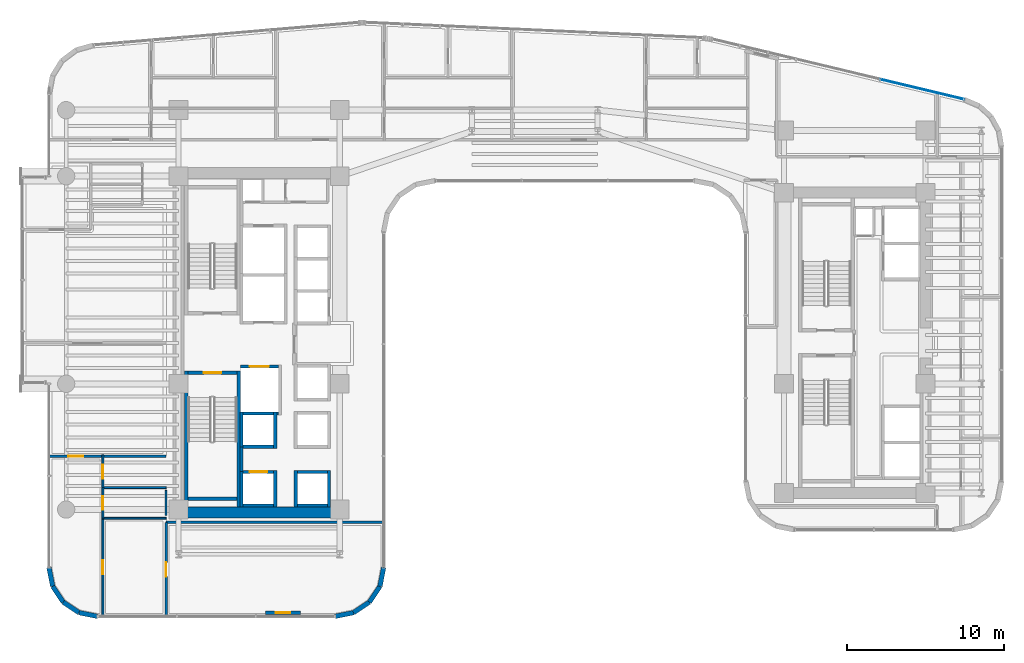
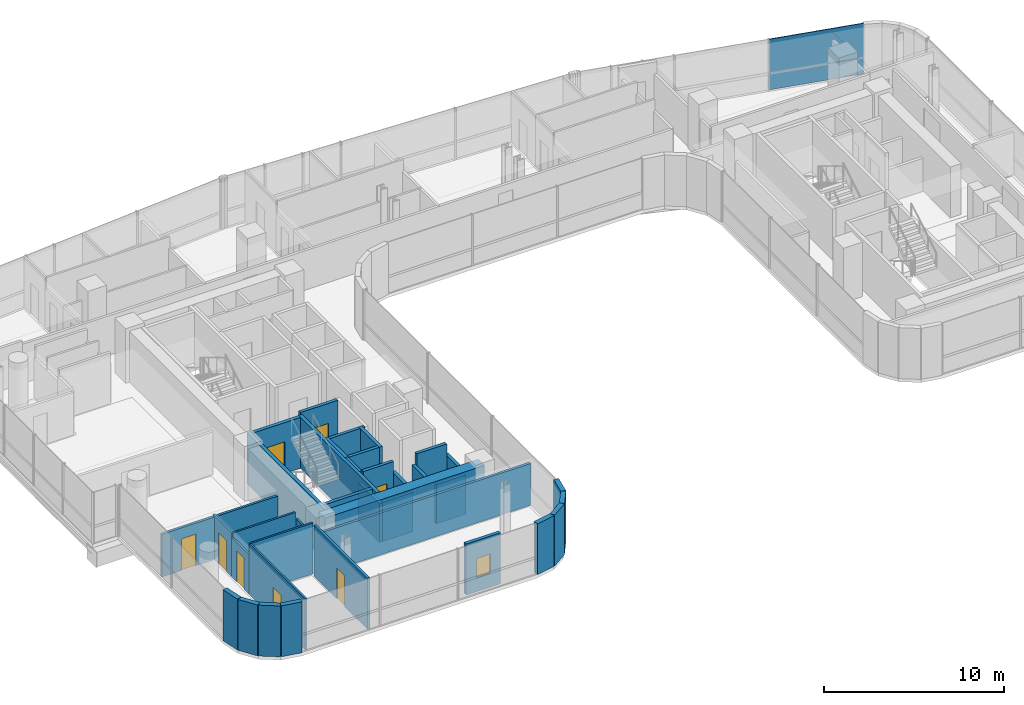
# One storey, part 26 of 35: 37 walls, 8 doors, 2 plates, 1 window, 9 openings, 1 element without a shape of its own.
"""IFC4 building model written with IfcOpenShell, lengths in metres."""

from ifc_helpers import new_model, si_unit, direction, frame, frame_2d, origin, origin_2d, place, context, subcontext, project, spatial, rectangle, extrude, source, transform, mapped, material, layer, layer_set, type_object, element, fill, aggregate, save


model = new_model("IFC4")

# Units and contexts
model_context = context("Model", 3, precision=1e-05, world=origin(), true_north=direction((0.0, 1.0)))
body_context = subcontext(model_context, "Body", "Model", "MODEL_VIEW")
ifc_project = project(units=[si_unit("LENGTHUNIT", "METRE"), si_unit("AREAUNIT", "SQUARE_METRE"), si_unit("VOLUMEUNIT", "CUBIC_METRE"), si_unit("PLANEANGLEUNIT", "RADIAN"), si_unit("MASSUNIT", "GRAM", prefix="KILO")], contexts=[model_context])

# Site, building, storey
site_placement = place(None, origin())
site = spatial("IfcSite", under=ifc_project, at=site_placement, CompositionType="ELEMENT")
building_placement = place(site_placement, origin())
building = spatial("IfcBuilding", under=site, at=building_placement, Name="Valdorenza Pilgrim Sanctuary Tower", CompositionType="ELEMENT")
storey_placement = place(building_placement, frame((0.0, 0.0, 105.699951171875)))
storey = spatial("IfcBuildingStorey", under=building, at=storey_placement, Name="L26", CompositionType="ELEMENT", Elevation=105.699951171875)

# Curtain wall, plates
ifc_material_1 = material(Name="Curtain-wall IGU glazing", Category="glass")
curtain_wall_type = type_object("IfcCurtainWallType", Name="CW-SYS-03", PredefinedType="NOTDEFINED", material=ifc_material_1)
curtain_wall_placement = place(storey_placement, origin())
curtain_wall = element("IfcCurtainWall", 1, at=curtain_wall_placement, inside=storey, type_object=curtain_wall_type, Name="L26 Curtain Wall CW-L26-1-16", PredefinedType="NOTDEFINED")
ifc_material_2 = material(Name="Honed travertine limestone", Category="masonry")
ifc_layer_1 = layer(ifc_material_2, 0.050048828125, Name="Honed travertine limestone")
ifc_layer_set_1 = layer_set([ifc_layer_1], Name="Honed travertine limestone")
plate_type_1 = type_object("IfcPlateType", Name="CW-SPN-TRV", PredefinedType="USERDEFINED", material=ifc_layer_set_1)
shared_shape_1 = source(origin(), body_context, "Body", "SweptSolid", [
    extrude(rectangle(XDim=5.477294921875, YDim=0.06005859375, at=origin_2d()), origin(), (0.0, 0.0, 1.0), 1.10009765625),
])
plate_1_placement = place(storey_placement, frame((24.63720703125, 16.122802734375, 0.010009765625), z_axis=(0.0, 0.0, 1.0), x_axis=(0.972528596343, -0.232783438617, 0.0)))
plate_1 = element("IfcPlate", 2, at=plate_1_placement, type_object=plate_type_1, Name="CW-L26-1-16 Travertine Spandrel 3", ObjectType="SPANDREL", PredefinedType="USERDEFINED", context=body_context, shape_type="MappedRepresentation", body=[
    mapped(shared_shape_1, transform((0.0, 0.0, 0.0), x_axis=(1.0, 0.0, 0.0), y_axis=(0.0, 1.0, 0.0), z_axis=(0.0, 0.0, 1.0), scale=1.0)),
])
ifc_material_3 = material(Name="Ceramic-fritted low-E IGU glazing", Category="glass")
ifc_layer_2 = layer(ifc_material_3, 0.035888671875, Name="Ceramic-fritted low-E IGU glazing")
ifc_layer_set_2 = layer_set([ifc_layer_2], Name="Ceramic-fritted low-E IGU glazing")
plate_type_2 = type_object("IfcPlateType", Name="CW-GLZ-IGU", PredefinedType="USERDEFINED", material=ifc_layer_set_2)
shared_shape_2 = source(origin(), body_context, "Body", "SweptSolid", [
    extrude(rectangle(XDim=5.477294921875, YDim=0.050048828125, at=origin_2d()), origin(), (0.0, 0.0, 1.0), 2.320068359375),
])
plate_2_placement = place(storey_placement, frame((24.63720703125, 16.122802734375, 1.1298828125), z_axis=(0.0, 0.0, 1.0), x_axis=(0.972528596343, -0.232783438617, 0.0)))
plate_2 = element("IfcPlate", 3, at=plate_2_placement, type_object=plate_type_2, Name="CW-L26-1-16 Facade Panel 3", ObjectType="GLAZING", PredefinedType="USERDEFINED", context=body_context, shape_type="MappedRepresentation", body=[
    mapped(shared_shape_2, transform((0.0, 0.0, 0.0), x_axis=(1.0, 0.0, 0.0), y_axis=(0.0, 1.0, 0.0), z_axis=(0.0, 0.0, 1.0), scale=1.0)),
])
aggregate(curtain_wall, [plate_1, plate_2])

# Walls
ifc_material_4 = material(Name="Acoustic twin-stud gypsum partition", Category="gypsum")
ifc_layer_3 = layer(ifc_material_4, 0.159912109375, Name="Acoustic twin-stud gypsum partition")
ifc_layer_set_3 = layer_set([ifc_layer_3], Name="Acoustic twin-stud gypsum partition")
wall_type_1 = type_object("IfcWallType", Name="WAL-COR-160", PredefinedType="PARTITIONING", material=ifc_layer_set_3)
wall_1_placement = place(storey_placement, frame((-18.64990234375, -8.179931640625, 0.0), z_axis=(0.0, 0.0, 1.0), x_axis=(0.0, 1.0, 0.0)))
element("IfcWall", 4, at=wall_1_placement, inside=storey, type_object=wall_type_1, Name="L26 Core A South Lift Hall West Wall", PredefinedType="PARTITIONING", context=body_context, shape_type="SweptSolid", body=[
    extrude(rectangle(XDim=1.559814453125, YDim=0.159912109375, at=frame_2d((0.77978515625, 0.0))), origin(), (0.0, 0.0, 1.0), 3.4599609375),
])
wall_2_placement = place(storey_placement, frame((-23.449951171875, -11.419921875, 0.0), z_axis=(0.0, 0.0, 1.0), x_axis=(1.0, 0.0, 0.0)))
element("IfcWall", 5, at=wall_2_placement, inside=storey, type_object=wall_type_1, Name="L26 South-East Pocket North Wall", PredefinedType="PARTITIONING", context=body_context, shape_type="SweptSolid", body=[
    extrude(rectangle(XDim=13.83984375, YDim=0.159912109375, at=frame_2d((6.919921875, 0.0))), origin(), (0.0, 0.0, 1.0), 2.833984375),
])

# Wall, opening, door
wall_3_placement = place(storey_placement, frame((-23.449951171875, -17.389892578125, 0.0), z_axis=(0.0, 0.0, 1.0), x_axis=(0.0, 1.0, 0.0)))
wall_3 = element("IfcWall", 6, at=wall_3_placement, inside=storey, type_object=wall_type_1, Name="L26 South-East Pocket West Wall", PredefinedType="PARTITIONING", context=body_context, shape_type="SweptSolid", body=[
    extrude(rectangle(XDim=5.969970703125, YDim=0.159912109375, at=frame_2d((2.98486328125, 0.0))), origin(), (0.0, 0.0, 1.0), 3.4599609375),
])
opening_1_placement = place(wall_3_placement, frame((2.534912109375, 0.0, 0.0)))
opening_1 = element("IfcOpeningElement", 7, at=opening_1_placement, cuts=wall_3, Name="Opening DR-RM1", PredefinedType="OPENING", context=body_context, shape_type="SweptSolid", body=[
    extrude(rectangle(XDim=0.89990234375, YDim=2.10009765625, at=frame_2d((0.449951171875, 1.050048828125))), frame((0.0, 0.0947265625, 0.0), z_axis=(0.0, -1.0, 0.0), x_axis=(1.0, 0.0, 0.0)), (0.0, 0.0, 1.0), 0.189697265625),
])
ifc_material_5 = material(Name="Solid-core European oak timber", Category="wood")
door_type_1 = type_object("IfcDoorType", Name="DR-ROOM-900", OperationType="NOTDEFINED", PredefinedType="DOOR", material=ifc_material_5)
door_1_placement = place(opening_1_placement, origin())
door_1 = element("IfcDoor", 8, at=door_1_placement, inside=storey, type_object=door_type_1, Name="L26 Sacred Archive Reading Library L26-S Door", OperationType="SINGLE_SWING_RIGHT", OverallHeight=2.10009765625, OverallWidth=0.89990234375, PredefinedType="DOOR", context=body_context, shape_type="SweptSolid", body=[
    extrude(rectangle(XDim=0.89990234375, YDim=2.10009765625, at=frame_2d((0.449951171875, 1.050048828125))), frame((0.0, 0.02490234375, 0.0), z_axis=(0.0, -1.0, 0.0), x_axis=(1.0, 0.0, 0.0)), (0.0, 0.0, 1.0), 0.050048828125),
])
fill(opening_1, door_1)

wall_4_placement = place(storey_placement, frame((-30.889892578125, -7.199951171875, 0.0), z_axis=(0.0, 0.0, 1.0), x_axis=(1.0, 0.0, 0.0)))
wall_4 = element("IfcWall", 9, at=wall_4_placement, inside=storey, type_object=wall_type_1, Name="L26 Cloister South Room Wall", PredefinedType="PARTITIONING", context=body_context, shape_type="SweptSolid", body=[
    extrude(rectangle(XDim=7.43994140625, YDim=0.159912109375, at=frame_2d((3.719970703125, 0.0))), origin(), (0.0, 0.0, 1.0), 2.89599609375),
])
opening_2_placement = place(wall_4_placement, frame((1.236083984375, 0.0, 0.0)))
opening_2 = element("IfcOpeningElement", 10, at=opening_2_placement, cuts=wall_4, Name="Opening DR-UN1", PredefinedType="OPENING", context=body_context, shape_type="SweptSolid", body=[
    extrude(rectangle(XDim=0.949951171875, YDim=2.14990234375, at=frame_2d((0.47509765625, 1.074951171875))), frame((0.0, 0.0947265625, 0.0), z_axis=(0.0, -1.0, 0.0), x_axis=(1.0, 0.0, 0.0)), (0.0, 0.0, 1.0), 0.189697265625),
])
door_type_2 = type_object("IfcDoorType", Name="DR-UNIT-950", OperationType="NOTDEFINED", PredefinedType="DOOR", material=ifc_material_5)
door_2_placement = place(opening_2_placement, origin())
door_2 = element("IfcDoor", 11, at=door_2_placement, inside=storey, type_object=door_type_2, Name="L26 Sanctuary Apartment L26-CS1 Entrance Door", OperationType="SINGLE_SWING_RIGHT", OverallHeight=2.14990234375, OverallWidth=0.949951171875, PredefinedType="DOOR", context=body_context, shape_type="SweptSolid", body=[
    extrude(rectangle(XDim=0.949951171875, YDim=2.14990234375, at=frame_2d((0.47509765625, 1.074951171875))), frame((0.0, 0.02490234375, 0.0), z_axis=(0.0, -1.0, 0.0), x_axis=(1.0, 0.0, 0.0)), (0.0, 0.0, 1.0), 0.050048828125),
])
fill(opening_2, door_2)

# Walls
ifc_material_6 = material(Name="Concrete C60/75", Category="concrete")
ifc_layer_4 = layer(ifc_material_6, 0.699951171875, Name="Concrete C60/75")
ifc_layer_set_4 = layer_set([ifc_layer_4], Name="Concrete C60/75")
wall_type_2 = type_object("IfcWallType", Name="WAL-COR-700", PredefinedType="SHEAR", material=ifc_layer_set_4)
wall_5_placement = place(storey_placement, frame((-22.64990234375, -10.800048828125, 0.0), z_axis=(0.0, 0.0, 1.0), x_axis=(1.0, 0.0, 0.0)))
element("IfcWall", 12, at=wall_5_placement, inside=storey, type_object=wall_type_2, Name="L26 Split Core A Shear Wall S", PredefinedType="SHEAR", context=body_context, shape_type="SweptSolid", body=[
    extrude(rectangle(XDim=10.25, YDim=0.699951171875, at=frame_2d((5.125, 0.0))), origin(), (0.0, 0.0, 1.0), 3.4599609375),
])
ifc_layer_5 = layer(ifc_material_2, 0.300048828125, Name="Honed travertine limestone")
ifc_layer_set_5 = layer_set([ifc_layer_5], Name="Honed travertine limestone")
wall_type_3 = type_object("IfcWallType", Name="WAL-EXT-300", PredefinedType="SOLIDWALL", material=ifc_layer_set_5)
wall_6_placement = place(storey_placement, frame((-9.610107421875, -14.289306640625, 0.0), z_axis=(0.0, 0.0, 1.0), x_axis=(-0.194996050505, -0.980804027463, 0.0)))
element("IfcWall", 13, at=wall_6_placement, inside=storey, type_object=wall_type_3, Name="L26 Rounded Wind-Corner Stone Pier 42", PredefinedType="SOLIDWALL", context=body_context, shape_type="SweptSolid", body=[
    extrude(rectangle(XDim=1.2158203125, YDim=0.300048828125, at=frame_2d((0.60791015625, 0.0))), origin(), (0.0, 0.0, 1.0), 3.4599609375),
])
for number, where, z_axis, x_axis, name in (
    (14, (-9.84716796875, -15.481689453125, 0.0), (0.0, 0.0, 1.0), (-0.555635100982, -0.831426265255, 0.0), "L26 Rounded Wind-Corner Stone Pier 43"),
    (15, (-10.5166015625, -16.4833984375, 0.0), (0.0, 0.0, 1.0), (-0.831426265255, -0.555635100982, 0.0), "L26 Rounded Wind-Corner Stone Pier 44"),
):
    element("IfcWall", number, at=place(storey_placement, frame(where, z_axis=z_axis, x_axis=x_axis)), inside=storey, type_object=wall_type_3, Name=name, PredefinedType="SOLIDWALL", context=body_context, shape_type="SweptSolid", body=[
        extrude(rectangle(XDim=1.204833984375, YDim=0.300048828125, at=frame_2d((0.6025390625, 0.0))), origin(), (0.0, 0.0, 1.0), 3.4599609375),
    ])
wall_7_placement = place(storey_placement, frame((-11.518310546875, -17.15283203125, 0.0), z_axis=(0.0, 0.0, 1.0), x_axis=(-0.980804027463, -0.194996050505, 0.0)))
element("IfcWall", 16, at=wall_7_placement, inside=storey, type_object=wall_type_3, Name="L26 Rounded Wind-Corner Stone Pier 45", PredefinedType="SOLIDWALL", context=body_context, shape_type="SweptSolid", body=[
    extrude(rectangle(XDim=1.2158203125, YDim=0.300048828125, at=frame_2d((0.60791015625, 0.0))), origin(), (0.0, 0.0, 1.0), 3.4599609375),
])

# Wall, opening, window
wall_8_placement = place(storey_placement, frame((-14.910888671875, -17.14990234375, 0.0), z_axis=(0.0, 0.0, 1.0), x_axis=(-1.0, 0.0, 0.0)))
wall_8 = element("IfcWall", 17, at=wall_8_placement, inside=storey, type_object=wall_type_3, Name="L26 Operable Ventilation Sash Jamb Pier", PredefinedType="SOLIDWALL", context=body_context, shape_type="SweptSolid", body=[
    extrude(rectangle(XDim=2.199951171875, YDim=0.219970703125, at=frame_2d((1.10009765625, 0.0))), origin(), (0.0, 0.0, 1.0), 3.4599609375),
])
opening_3_placement = place(wall_8_placement, frame((0.64990234375, 0.0, 0.949951171875)))
opening_3 = element("IfcOpeningElement", 18, at=opening_3_placement, cuts=wall_8, Name="Opening WN-OP1", PredefinedType="OPENING", context=body_context, shape_type="SweptSolid", body=[
    extrude(rectangle(XDim=0.89990234375, YDim=1.300048828125, at=frame_2d((0.449951171875, 0.64990234375))), frame((0.0, 0.125, 0.0), z_axis=(0.0, -1.0, 0.0), x_axis=(1.0, 0.0, 0.0)), (0.0, 0.0, 1.0), 0.249755859375),
])
window_type = type_object("IfcWindowType", Name="WIN-OPN-900", PartitioningType="SINGLE_PANEL", PredefinedType="WINDOW", material=ifc_material_3)
window_placement = place(opening_3_placement, origin())
window = element("IfcWindow", 19, at=window_placement, inside=storey, type_object=window_type, Name="L26 Parallel-Pop-Out Operable Facade Panel", OverallHeight=1.300048828125, OverallWidth=0.89990234375, PartitioningType="SINGLE_PANEL", PredefinedType="WINDOW", context=body_context, shape_type="SweptSolid", body=[
    extrude(rectangle(XDim=0.89990234375, YDim=1.300048828125, at=frame_2d((0.449951171875, 0.64990234375))), frame((0.0, 0.030029296875, 0.0), z_axis=(0.0, -1.0, 0.0), x_axis=(1.0, 0.0, 0.0)), (0.0, 0.0, 1.0), 0.06005859375),
])
fill(opening_3, window)

# Walls
wall_9_placement = place(storey_placement, frame((-27.789306640625, -17.389892578125, 0.0), z_axis=(0.0, 0.0, 1.0), x_axis=(-0.980804027463, 0.194996050505, 0.0)))
element("IfcWall", 20, at=wall_9_placement, inside=storey, type_object=wall_type_3, Name="L26 Rounded Wind-Corner Stone Pier 47", PredefinedType="SOLIDWALL", context=body_context, shape_type="SweptSolid", body=[
    extrude(rectangle(XDim=1.2158203125, YDim=0.300048828125, at=frame_2d((0.60791015625, 0.0))), origin(), (0.0, 0.0, 1.0), 3.4599609375),
])
for number, where, z_axis, x_axis, name in (
    (21, (-28.981689453125, -17.15283203125, 0.0), (0.0, 0.0, 1.0), (-0.831426265255, 0.555635100982, 0.0), "L26 Rounded Wind-Corner Stone Pier 48"),
    (22, (-29.9833984375, -16.4833984375, 0.0), (0.0, 0.0, 1.0), (-0.555635100982, 0.831426265255, 0.0), "L26 Rounded Wind-Corner Stone Pier 49"),
):
    element("IfcWall", number, at=place(storey_placement, frame(where, z_axis=z_axis, x_axis=x_axis)), inside=storey, type_object=wall_type_3, Name=name, PredefinedType="SOLIDWALL", context=body_context, shape_type="SweptSolid", body=[
        extrude(rectangle(XDim=1.204833984375, YDim=0.300048828125, at=frame_2d((0.6025390625, 0.0))), origin(), (0.0, 0.0, 1.0), 3.4599609375),
    ])
wall_10_placement = place(storey_placement, frame((-30.65283203125, -15.481689453125, 0.0), z_axis=(0.0, 0.0, 1.0), x_axis=(-0.194996050505, 0.980804027463, 0.0)))
element("IfcWall", 23, at=wall_10_placement, inside=storey, type_object=wall_type_3, Name="L26 Rounded Wind-Corner Stone Pier 50", PredefinedType="SOLIDWALL", context=body_context, shape_type="SweptSolid", body=[
    extrude(rectangle(XDim=1.2158203125, YDim=0.300048828125, at=frame_2d((0.60791015625, 0.0))), origin(), (0.0, 0.0, 1.0), 3.4599609375),
])
ifc_material_7 = material(Name="Moisture-resistant gypsum partition", Category="gypsum")
ifc_layer_6 = layer(ifc_material_7, 0.1201171875, Name="Moisture-resistant gypsum partition")
ifc_layer_set_6 = layer_set([ifc_layer_6], Name="Moisture-resistant gypsum partition")
wall_type_4 = type_object("IfcWallType", Name="WAL-INT-120", PredefinedType="PARTITIONING", material=ifc_layer_set_6)
wall_11_placement = place(storey_placement, frame((-27.467529296875, -9.199951171875, 0.0), z_axis=(0.0, 0.0, 1.0), x_axis=(1.0, 0.0, 0.0)))
element("IfcWall", 24, at=wall_11_placement, inside=storey, type_object=wall_type_4, Name="L26 Sanctuary Apartment L26-CS1 Bath-Kitchen Wall", PredefinedType="PARTITIONING", context=body_context, shape_type="SweptSolid", body=[
    extrude(rectangle(XDim=4.017578125, YDim=0.1201171875, at=frame_2d((2.0087890625, 0.0))), origin(), (0.0, 0.0, 1.0), 2.988037109375),
])
wall_12_placement = place(storey_placement, frame((-27.467529296875, -11.14990234375, 0.0), z_axis=(0.0, 0.0, 1.0), x_axis=(1.0, 0.0, 0.0)))
element("IfcWall", 25, at=wall_12_placement, inside=storey, type_object=wall_type_4, Name="L26 Sanctuary Apartment L26-CS1 Kitchen-Bedroom Wall", PredefinedType="PARTITIONING", context=body_context, shape_type="SweptSolid", body=[
    extrude(rectangle(XDim=4.017578125, YDim=0.1201171875, at=frame_2d((2.0087890625, 0.0))), origin(), (0.0, 0.0, 1.0), 3.4599609375),
])

# Wall, opening, door
wall_13_placement = place(storey_placement, frame((-27.467529296875, -11.14990234375, 0.0), z_axis=(0.0, 0.0, 1.0), x_axis=(0.0, 1.0, 0.0)))
wall_13 = element("IfcWall", 26, at=wall_13_placement, inside=storey, type_object=wall_type_4, Name="L26 Sanctuary Apartment L26-CS1 Bathroom Door Wall", PredefinedType="PARTITIONING", context=body_context, shape_type="SweptSolid", body=[
    extrude(rectangle(XDim=1.949951171875, YDim=0.1201171875, at=frame_2d((0.97509765625, 0.0))), origin(), (0.0, 0.0, 1.0), 2.666015625),
])
opening_4_placement = place(wall_13_placement, frame((0.550048828125, 0.0, 0.0)))
opening_4 = element("IfcOpeningElement", 27, at=opening_4_placement, cuts=wall_13, Name="Opening DR-WC1", PredefinedType="OPENING", context=body_context, shape_type="SweptSolid", body=[
    extrude(rectangle(XDim=0.85009765625, YDim=2.10009765625, at=frame_2d((0.425048828125, 1.050048828125))), frame((0.0, 0.074951171875, 0.0), z_axis=(0.0, -1.0, 0.0), x_axis=(1.0, 0.0, 0.0)), (0.0, 0.0, 1.0), 0.14990234375),
])
ifc_material_8 = material(Name="Moisture-resistant lacquered timber", Category="wood")
door_type_3 = type_object("IfcDoorType", Name="DR-BATH-850", OperationType="NOTDEFINED", PredefinedType="DOOR", material=ifc_material_8)
door_3_placement = place(opening_4_placement, origin())
door_3 = element("IfcDoor", 28, at=door_3_placement, inside=storey, type_object=door_type_3, Name="L26 Sanctuary Apartment L26-CS1 Bathroom Door", OperationType="SINGLE_SWING_LEFT", OverallHeight=2.10009765625, OverallWidth=0.85009765625, PredefinedType="DOOR", context=body_context, shape_type="SweptSolid", body=[
    extrude(rectangle(XDim=0.85009765625, YDim=2.10009765625, at=frame_2d((0.425048828125, 1.050048828125))), frame((0.0, 0.02490234375, 0.0), z_axis=(0.0, -1.0, 0.0), x_axis=(1.0, 0.0, 0.0)), (0.0, 0.0, 1.0), 0.050048828125),
])
fill(opening_4, door_3)

wall_14_placement = place(storey_placement, frame((-27.467529296875, -9.199951171875, 0.0), z_axis=(0.0, 0.0, 1.0), x_axis=(0.0, 1.0, 0.0)))
wall_14 = element("IfcWall", 29, at=wall_14_placement, inside=storey, type_object=wall_type_4, Name="L26 Sanctuary Apartment L26-CS1 Kitchen Door Wall", PredefinedType="PARTITIONING", context=body_context, shape_type="SweptSolid", body=[
    extrude(rectangle(XDim=2.079833984375, YDim=0.1201171875, at=frame_2d((1.0400390625, 0.0))), origin(), (0.0, 0.0, 1.0), 2.988037109375),
])
opening_5_placement = place(wall_14_placement, frame((0.550048828125, 0.0, 0.0)))
opening_5 = element("IfcOpeningElement", 30, at=opening_5_placement, cuts=wall_14, Name="Opening DR-RM1", PredefinedType="OPENING", context=body_context, shape_type="SweptSolid", body=[
    extrude(rectangle(XDim=0.89990234375, YDim=2.10009765625, at=frame_2d((0.449951171875, 1.050048828125))), frame((0.0, 0.074951171875, 0.0), z_axis=(0.0, -1.0, 0.0), x_axis=(1.0, 0.0, 0.0)), (0.0, 0.0, 1.0), 0.14990234375),
])
door_4_placement = place(opening_5_placement, origin())
door_4 = element("IfcDoor", 31, at=door_4_placement, inside=storey, type_object=door_type_1, Name="L26 Sanctuary Apartment L26-CS1 Kitchen Door", OperationType="SINGLE_SWING_RIGHT", OverallHeight=2.10009765625, OverallWidth=0.89990234375, PredefinedType="DOOR", context=body_context, shape_type="SweptSolid", body=[
    extrude(rectangle(XDim=0.89990234375, YDim=2.10009765625, at=frame_2d((0.449951171875, 1.050048828125))), frame((0.0, 0.02490234375, 0.0), z_axis=(0.0, -1.0, 0.0), x_axis=(1.0, 0.0, 0.0)), (0.0, 0.0, 1.0), 0.050048828125),
])
fill(opening_5, door_4)

wall_15_placement = place(storey_placement, frame((-27.467529296875, -17.389892578125, 0.0), z_axis=(0.0, 0.0, 1.0), x_axis=(0.0, 1.0, 0.0)))
wall_15 = element("IfcWall", 32, at=wall_15_placement, inside=storey, type_object=wall_type_4, Name="L26 Sanctuary Apartment L26-CS1 Bedroom Door Wall", PredefinedType="PARTITIONING", context=body_context, shape_type="SweptSolid", body=[
    extrude(rectangle(XDim=6.239990234375, YDim=0.1201171875, at=frame_2d((3.1201171875, 0.0))), origin(), (0.0, 0.0, 1.0), 3.4599609375),
])
opening_6_placement = place(wall_15_placement, frame((2.669921875, 0.0, 0.0)))
opening_6 = element("IfcOpeningElement", 33, at=opening_6_placement, cuts=wall_15, Name="Opening DR-RM1", PredefinedType="OPENING", context=body_context, shape_type="SweptSolid", body=[
    extrude(rectangle(XDim=0.89990234375, YDim=2.10009765625, at=frame_2d((0.449951171875, 1.050048828125))), frame((0.0, 0.074951171875, 0.0), z_axis=(0.0, -1.0, 0.0), x_axis=(1.0, 0.0, 0.0)), (0.0, 0.0, 1.0), 0.14990234375),
])
door_5_placement = place(opening_6_placement, frame((0.89990234375, 0.0, 0.0), z_axis=(0.0, 0.0, 1.0), x_axis=(-1.0, 0.0, 0.0)))
door_5 = element("IfcDoor", 34, at=door_5_placement, inside=storey, type_object=door_type_1, Name="L26 Sanctuary Apartment L26-CS1 Bedroom Door", OperationType="SINGLE_SWING_LEFT", OverallHeight=2.10009765625, OverallWidth=0.89990234375, PredefinedType="DOOR", context=body_context, shape_type="SweptSolid", body=[
    extrude(rectangle(XDim=0.89990234375, YDim=2.10009765625, at=frame_2d((0.449951171875, 1.050048828125))), frame((0.0, 0.02490234375, 0.0), z_axis=(0.0, -1.0, 0.0), x_axis=(1.0, 0.0, 0.0)), (0.0, 0.0, 1.0), 0.050048828125),
])
fill(opening_6, door_5)

# Walls
wall_16_placement = place(storey_placement, frame((-23.449951171875, -10.969970703125, 0.0), z_axis=(0.0, 0.0, 1.0), x_axis=(0.0, 1.0, 0.0)))
element("IfcWall", 35, at=wall_16_placement, inside=storey, type_object=wall_type_4, Name="L26 CL-SF1-BTH Enclosure Wall E", PredefinedType="PARTITIONING", context=body_context, shape_type="SweptSolid", body=[
    extrude(rectangle(XDim=1.590087890625, YDim=0.1201171875, at=frame_2d((0.794921875, 0.0))), origin(), (0.0, 0.0, 1.0), 2.666015625),
])
ifc_material_9 = material(Name="Autoclaved aerated concrete blockwork", Category="masonry")
ifc_layer_7 = layer(ifc_material_9, 0.199951171875, Name="Autoclaved aerated concrete blockwork")
ifc_layer_set_7 = layer_set([ifc_layer_7], Name="Autoclaved aerated concrete blockwork")
wall_type_5 = type_object("IfcWallType", Name="WAL-SHF-200", PredefinedType="MOVABLE", material=ifc_layer_set_7)
wall_17_placement = place(storey_placement, frame((-18.719970703125, -4.5, 0.0), z_axis=(0.0, 0.0, 1.0), x_axis=(1.0, 0.0, 0.0)))
element("IfcWall", 36, at=wall_17_placement, inside=storey, type_object=wall_type_5, Name="L26 Lift FFL-02 Hoistway Wall South", PredefinedType="MOVABLE", context=body_context, shape_type="SweptSolid", body=[
    extrude(rectangle(XDim=2.419921875, YDim=0.199951171875, at=frame_2d((1.2099609375, 0.0))), origin(), (0.0, 0.0, 1.0), 3.4599609375),
])

# Wall, opening, door
wall_18_placement = place(storey_placement, frame((-18.719970703125, -1.5, 0.0), z_axis=(0.0, 0.0, 1.0), x_axis=(1.0, 0.0, 0.0)))
wall_18 = element("IfcWall", 37, at=wall_18_placement, inside=storey, type_object=wall_type_5, Name="L26 Lift FFL-02 Hoistway Wall North", PredefinedType="MOVABLE", context=body_context, shape_type="SweptSolid", body=[
    extrude(rectangle(XDim=2.419921875, YDim=0.199951171875, at=frame_2d((1.2099609375, 0.0))), origin(), (0.0, 0.0, 1.0), 3.4599609375),
])
opening_7_placement = place(wall_18_placement, frame((0.610107421875, 0.0, 0.0)))
opening_7 = element("IfcOpeningElement", 38, at=opening_7_placement, cuts=wall_18, Name="Opening LD-02", PredefinedType="OPENING", context=body_context, shape_type="SweptSolid", body=[
    extrude(rectangle(XDim=1.199951171875, YDim=2.10009765625, at=frame_2d((0.60009765625, 1.050048828125))), frame((0.0, 0.11474609375, 0.0), z_axis=(0.0, -1.0, 0.0), x_axis=(1.0, 0.0, 0.0)), (0.0, 0.0, 1.0), 0.229736328125),
])
ifc_material_10 = material(Name="Brushed stainless steel Grade 316", Category="steel")
door_type_4 = type_object("IfcDoorType", Name="DR-LFT-1200", OperationType="DOUBLE_DOOR_SLIDING", PredefinedType="DOOR", material=ifc_material_10)
door_6_placement = place(opening_7_placement, origin())
door_6 = element("IfcDoor", 39, at=door_6_placement, inside=storey, type_object=door_type_4, Name="L26 Lift FFL-02 Sliding Landing Door", OperationType="DOUBLE_DOOR_SLIDING", OverallHeight=2.10009765625, OverallWidth=1.199951171875, PredefinedType="DOOR", context=body_context, shape_type="SweptSolid", body=[
    extrude(rectangle(XDim=1.199951171875, YDim=2.10009765625, at=frame_2d((0.60009765625, 1.050048828125))), frame((0.0, 0.02490234375, 0.0), z_axis=(0.0, -1.0, 0.0), x_axis=(1.0, 0.0, 0.0)), (0.0, 0.0, 1.0), 0.050048828125),
])
fill(opening_7, door_6)

# Walls
for number, where, z_axis, x_axis, name in (
    (40, (-15.199951171875, -10.449951171875, 0.0), (0.0, 0.0, 1.0), (0.0, 1.0, 0.0), "L26 Lift PL-01 Hoistway Wall West"),
    (41, (-13.080078125, -10.449951171875, 0.0), (0.0, 0.0, 1.0), (0.0, 1.0, 0.0), "L26 Lift PL-01 Hoistway Wall East"),
):
    element("IfcWall", number, at=place(storey_placement, frame(where, z_axis=z_axis, x_axis=x_axis)), inside=storey, type_object=wall_type_5, Name=name, PredefinedType="MOVABLE", context=body_context, shape_type="SweptSolid", body=[
        extrude(rectangle(XDim=2.349853515625, YDim=0.199951171875, at=frame_2d((1.1748046875, 0.0))), origin(), (0.0, 0.0, 1.0), 2.666015625),
    ])
wall_19_placement = place(storey_placement, frame((-15.10009765625, -10.35009765625, 0.0), z_axis=(0.0, 0.0, 1.0), x_axis=(1.0, 0.0, 0.0)))
element("IfcWall", 42, at=wall_19_placement, inside=storey, type_object=wall_type_5, Name="L26 Lift PL-01 Hoistway Wall South", PredefinedType="MOVABLE", context=body_context, shape_type="SweptSolid", body=[
    extrude(rectangle(XDim=1.920166015625, YDim=0.199951171875, at=frame_2d((0.9599609375, 0.0))), origin(), (0.0, 0.0, 1.0), 2.666015625),
])
wall_20_placement = place(storey_placement, frame((-15.10009765625, -8.199951171875, 0.0), z_axis=(0.0, 0.0, 1.0), x_axis=(1.0, 0.0, 0.0)))
element("IfcWall", 43, at=wall_20_placement, inside=storey, type_object=wall_type_5, Name="L26 Lift PL-01 Hoistway Wall North", PredefinedType="MOVABLE", context=body_context, shape_type="SweptSolid", body=[
    extrude(rectangle(XDim=1.920166015625, YDim=0.199951171875, at=frame_2d((0.9599609375, 0.0))), origin(), (0.0, 0.0, 1.0), 3.4599609375),
])
for number, where, z_axis, x_axis, name in (
    (44, (-18.64990234375, -10.449951171875, 0.0), (0.0, 0.0, 1.0), (0.0, 1.0, 0.0), "L26 Lift PL-05 Hoistway Wall West"),
    (45, (-16.5, -10.449951171875, 0.0), (0.0, 0.0, 1.0), (0.0, 1.0, 0.0), "L26 Lift PL-05 Hoistway Wall East"),
):
    element("IfcWall", number, at=place(storey_placement, frame(where, z_axis=z_axis, x_axis=x_axis)), inside=storey, type_object=wall_type_5, Name=name, PredefinedType="MOVABLE", context=body_context, shape_type="SweptSolid", body=[
        extrude(rectangle(XDim=2.349853515625, YDim=0.199951171875, at=frame_2d((1.1748046875, 0.0))), origin(), (0.0, 0.0, 1.0), 2.666015625),
    ])
wall_21_placement = place(storey_placement, frame((-18.550048828125, -10.35009765625, 0.0), z_axis=(0.0, 0.0, 1.0), x_axis=(1.0, 0.0, 0.0)))
element("IfcWall", 46, at=wall_21_placement, inside=storey, type_object=wall_type_5, Name="L26 Lift PL-05 Hoistway Wall South", PredefinedType="MOVABLE", context=body_context, shape_type="SweptSolid", body=[
    extrude(rectangle(XDim=1.949951171875, YDim=0.199951171875, at=frame_2d((0.97509765625, 0.0))), origin(), (0.0, 0.0, 1.0), 2.666015625),
])

# Wall, opening, door
wall_22_placement = place(storey_placement, frame((-18.550048828125, -8.199951171875, 0.0), z_axis=(0.0, 0.0, 1.0), x_axis=(1.0, 0.0, 0.0)))
wall_22 = element("IfcWall", 47, at=wall_22_placement, inside=storey, type_object=wall_type_5, Name="L26 Lift PL-05 Hoistway Wall North", PredefinedType="MOVABLE", context=body_context, shape_type="SweptSolid", body=[
    extrude(rectangle(XDim=1.949951171875, YDim=0.199951171875, at=frame_2d((0.97509765625, 0.0))), origin(), (0.0, 0.0, 1.0), 3.4599609375),
])
opening_8_placement = place(wall_22_placement, frame((0.425048828125, 0.0, 0.0)))
opening_8 = element("IfcOpeningElement", 48, at=opening_8_placement, cuts=wall_22, Name="Opening LD-01", PredefinedType="OPENING", context=body_context, shape_type="SweptSolid", body=[
    extrude(rectangle(XDim=1.10009765625, YDim=2.10009765625, at=frame_2d((0.550048828125, 1.050048828125))), frame((0.0, 0.11474609375, 0.0), z_axis=(0.0, -1.0, 0.0), x_axis=(1.0, 0.0, 0.0)), (0.0, 0.0, 1.0), 0.229736328125),
])
door_type_5 = type_object("IfcDoorType", Name="DR-LFT-1100", OperationType="DOUBLE_DOOR_SLIDING", PredefinedType="DOOR", material=ifc_material_10)
door_7_placement = place(opening_8_placement, origin())
door_7 = element("IfcDoor", 49, at=door_7_placement, inside=storey, type_object=door_type_5, Name="L26 Lift PL-05 Sliding Landing Door", OperationType="DOUBLE_DOOR_SLIDING", OverallHeight=2.10009765625, OverallWidth=1.10009765625, PredefinedType="DOOR", context=body_context, shape_type="SweptSolid", body=[
    extrude(rectangle(XDim=1.10009765625, YDim=2.10009765625, at=frame_2d((0.550048828125, 1.050048828125))), frame((0.0, 0.02490234375, 0.0), z_axis=(0.0, -1.0, 0.0), x_axis=(1.0, 0.0, 0.0)), (0.0, 0.0, 1.0), 0.050048828125),
])
fill(opening_8, door_7)

# Walls
for number, where, z_axis, x_axis, name in (
    (50, (-18.64990234375, -6.699951171875, 0.0), (0.0, 0.0, 1.0), (0.0, 1.0, 0.0), "L26 Lift PL-11 Hoistway Wall West"),
    (51, (-16.5, -6.699951171875, 0.0), (0.0, 0.0, 1.0), (0.0, 1.0, 0.0), "L26 Lift PL-11 Hoistway Wall East"),
):
    element("IfcWall", number, at=place(storey_placement, frame(where, z_axis=z_axis, x_axis=x_axis)), inside=storey, type_object=wall_type_5, Name=name, PredefinedType="MOVABLE", context=body_context, shape_type="SweptSolid", body=[
        extrude(rectangle(XDim=2.300048828125, YDim=0.199951171875, at=frame_2d((1.14990234375, 0.0))), origin(), (0.0, 0.0, 1.0), 3.4599609375),
    ])
wall_23_placement = place(storey_placement, frame((-18.550048828125, -6.60009765625, 0.0), z_axis=(0.0, 0.0, 1.0), x_axis=(1.0, 0.0, 0.0)))
element("IfcWall", 52, at=wall_23_placement, inside=storey, type_object=wall_type_5, Name="L26 Lift PL-11 Hoistway Wall South", PredefinedType="MOVABLE", context=body_context, shape_type="SweptSolid", body=[
    extrude(rectangle(XDim=1.949951171875, YDim=0.199951171875, at=frame_2d((0.97509765625, 0.0))), origin(), (0.0, 0.0, 1.0), 3.4599609375),
])
ifc_material_11 = material(Name="Concrete C40/50", Category="concrete")
ifc_layer_8 = layer(ifc_material_11, 0.219970703125, Name="Concrete C40/50")
ifc_layer_set_8 = layer_set([ifc_layer_8], Name="Concrete C40/50")
wall_type_6 = type_object("IfcWallType", Name="WAL-STR-SHF-220", PredefinedType="SHEAR", material=ifc_layer_set_8)
for number, where, z_axis, x_axis, name in (
    (53, (-22.159912109375, -10.449951171875, 0.0), (0.0, 0.0, 1.0), (0.0, 1.0, 0.0), "L26 ST-A2 Structural Stairwell Wall W"),
    (54, (-18.830078125, -10.449951171875, 0.0), (0.0, 0.0, 1.0), (0.0, 1.0, 0.0), "L26 ST-A2 Structural Stairwell Wall E"),
):
    element("IfcWall", number, at=place(storey_placement, frame(where, z_axis=z_axis, x_axis=x_axis)), inside=storey, type_object=wall_type_6, Name=name, PredefinedType="SHEAR", context=body_context, shape_type="SweptSolid", body=[
        extrude(rectangle(XDim=8.669921875, YDim=0.219970703125, at=frame_2d((4.3349609375, 0.0))), origin(), (0.0, 0.0, 1.0), 3.4599609375),
    ])
wall_24_placement = place(storey_placement, frame((-22.050048828125, -9.909912109375, 0.0), z_axis=(0.0, 0.0, 1.0), x_axis=(1.0, 0.0, 0.0)))
element("IfcWall", 55, at=wall_24_placement, inside=storey, type_object=wall_type_6, Name="L26 ST-A2 Structural Stairwell Wall S", PredefinedType="SHEAR", context=body_context, shape_type="SweptSolid", body=[
    extrude(rectangle(XDim=3.110107421875, YDim=0.219970703125, at=frame_2d((1.55517578125, 0.0))), origin(), (0.0, 0.0, 1.0), 3.4599609375),
])

# Wall, opening, door
wall_25_placement = place(storey_placement, frame((-22.050048828125, -1.889892578125, 0.0), z_axis=(0.0, 0.0, 1.0), x_axis=(1.0, 0.0, 0.0)))
wall_25 = element("IfcWall", 56, at=wall_25_placement, inside=storey, type_object=wall_type_6, Name="L26 ST-A2 Structural Stairwell Wall N", PredefinedType="SHEAR", context=body_context, shape_type="SweptSolid", body=[
    extrude(rectangle(XDim=3.110107421875, YDim=0.219970703125, at=frame_2d((1.55517578125, 0.0))), origin(), (0.0, 0.0, 1.0), 3.4599609375),
])
opening_9_placement = place(wall_25_placement, frame((1.0, 0.0, 0.0)))
opening_9 = element("IfcOpeningElement", 57, at=opening_9_placement, cuts=wall_25, Name="Opening DR-ST1", PredefinedType="OPENING", context=body_context, shape_type="SweptSolid", body=[
    extrude(rectangle(XDim=1.10009765625, YDim=2.14990234375, at=frame_2d((0.550048828125, 1.074951171875))), frame((0.0, 0.125, 0.0), z_axis=(0.0, -1.0, 0.0), x_axis=(1.0, 0.0, 0.0)), (0.0, 0.0, 1.0), 0.249755859375),
])
ifc_material_12 = material(Name="Painted galvanized steel", Category="steel")
door_type_6 = type_object("IfcDoorType", Name="DR-STAIR-1100", OperationType="NOTDEFINED", PredefinedType="DOOR", material=ifc_material_12)
door_8_placement = place(opening_9_placement, origin())
door_8 = element("IfcDoor", 58, at=door_8_placement, inside=storey, type_object=door_type_6, Name="L26 Exit Stair ST-A2 Door", OperationType="SINGLE_SWING_RIGHT", OverallHeight=2.14990234375, OverallWidth=1.10009765625, PredefinedType="DOOR", context=body_context, shape_type="SweptSolid", body=[
    extrude(rectangle(XDim=1.10009765625, YDim=2.14990234375, at=frame_2d((0.550048828125, 1.074951171875))), frame((0.0, 0.02490234375, 0.0), z_axis=(0.0, -1.0, 0.0), x_axis=(1.0, 0.0, 0.0)), (0.0, 0.0, 1.0), 0.050048828125),
])
fill(opening_9, door_8)

save(model, "model.ifc")
